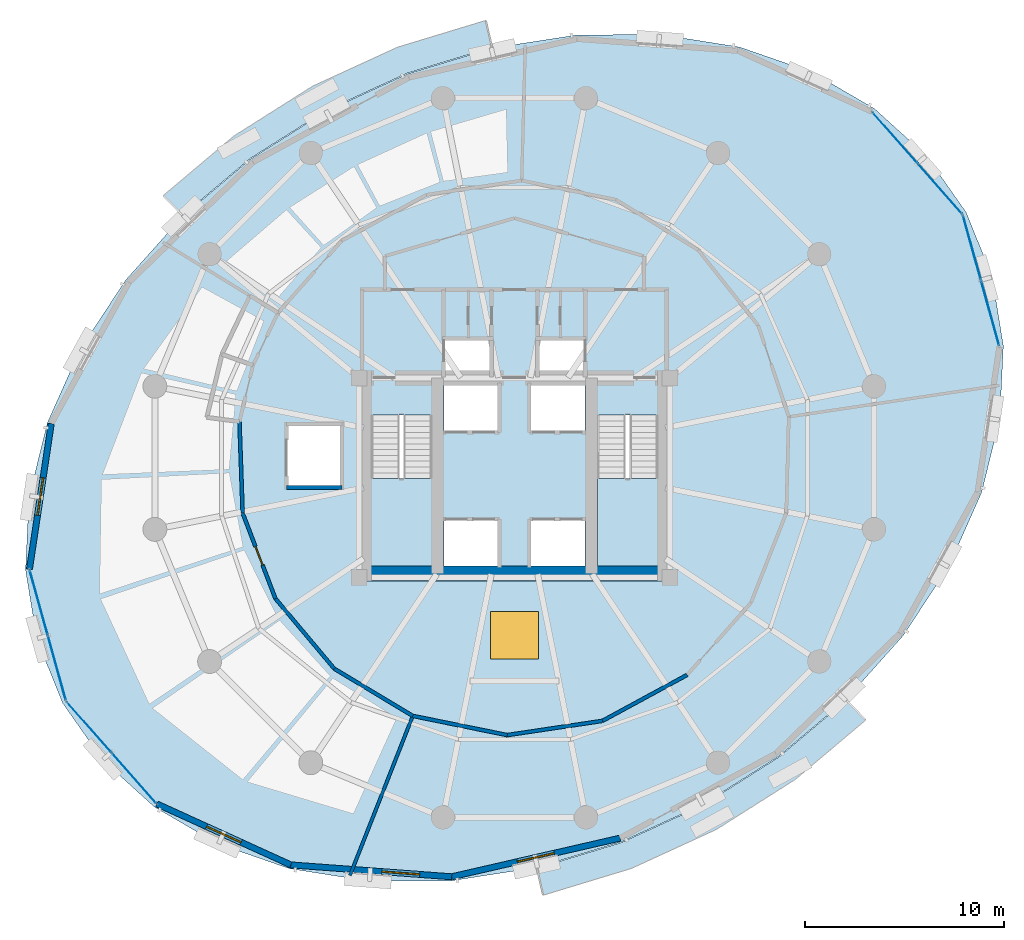
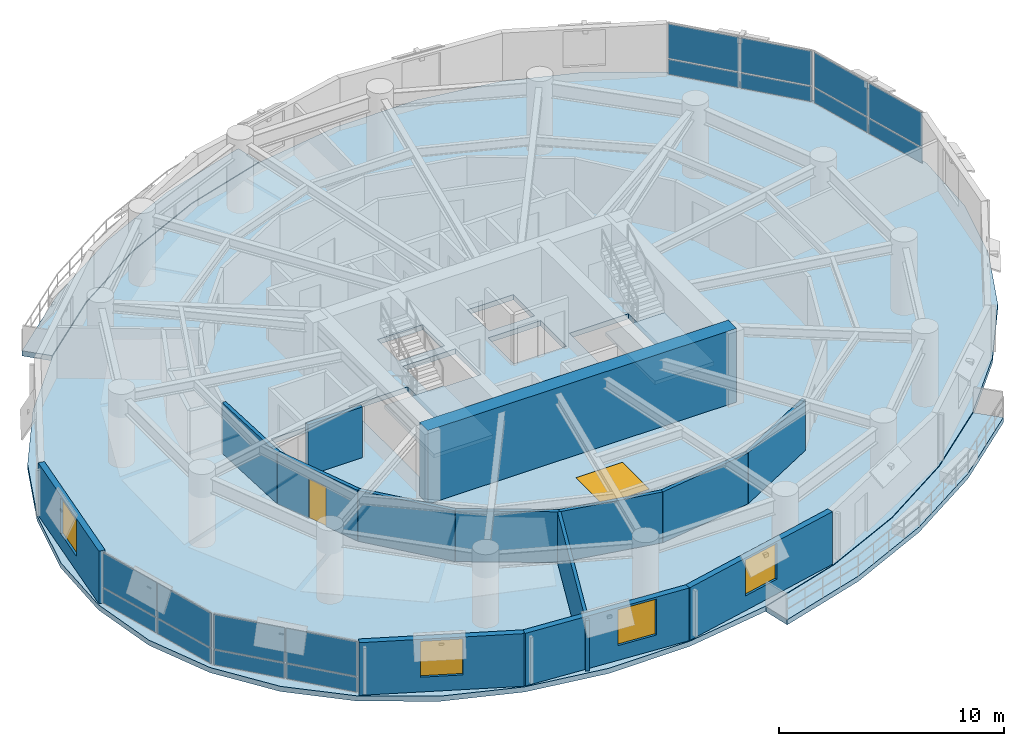
# One storey, part 7 of 12: 16 plates, 14 walls, 5 slabs, 5 windows, 1 door, 6 openings, 6 elements without a shape of their own.
"""IFC4 building model written with IfcOpenShell, lengths in metres."""

from ifc_helpers import new_model, si_unit, direction, frame, frame_2d, origin, origin_2d, place, context, subcontext, project, spatial, polyline, rectangle, outline, extrude, material, layer, layer_set, type_object, element, fill, aggregate, save


model = new_model("IFC4")

# Units and contexts
model_context = context("Model", 3, precision=1e-05, world=origin(), true_north=direction((0.0, 1.0)))
body_context = subcontext(model_context, "Body", "Model", "MODEL_VIEW")
ifc_project = project(units=[si_unit("LENGTHUNIT", "METRE"), si_unit("AREAUNIT", "SQUARE_METRE"), si_unit("VOLUMEUNIT", "CUBIC_METRE"), si_unit("PLANEANGLEUNIT", "RADIAN"), si_unit("MASSUNIT", "GRAM", prefix="KILO"), si_unit("THERMODYNAMICTEMPERATUREUNIT", "KELVIN"), si_unit("POWERUNIT", "WATT")], contexts=[model_context])

# Site, building, storey
site_placement = place(None, origin())
site = spatial("IfcSite", under=ifc_project, at=site_placement, CompositionType="ELEMENT")
building_placement = place(site_placement, origin())
building = spatial("IfcBuilding", under=site, at=building_placement, Name="Ocrelia Relay Tower", CompositionType="ELEMENT")
storey_placement = place(building_placement, frame((0.0, 0.0, 153.800048828125)))
storey = spatial("IfcBuildingStorey", under=building, at=storey_placement, Name="L36", CompositionType="ELEMENT", Elevation=153.800048828125)

# Curtain wall, plates
ifc_material_1 = material(Name="Aluminium and solar-control low-E glass", Category="aluminium")
ifc_layer_1 = layer(ifc_material_1, 0.179931640625, Name="Aluminium and solar-control low-E glass")
ifc_layer_set_1 = layer_set([ifc_layer_1], Name="Aluminium and solar-control low-E glass")
curtain_wall_type = type_object("IfcCurtainWallType", Name="CW-SYS-Z2-SWIT", PredefinedType="NOTDEFINED", material=ifc_layer_set_1)
curtain_wall_1_placement = place(storey_placement, origin())
curtain_wall_1 = element("IfcCurtainWall", 1, at=curtain_wall_1_placement, inside=storey, type_object=curtain_wall_type, Name="L36 Elliptical Tower Curtain Wall Bay 01", PredefinedType="NOTDEFINED")
ifc_material_2 = material(Name="Clear double-glazed low-E glass", Category="glass")
ifc_layer_2 = layer(ifc_material_2, 0.031982421875, Name="Clear double-glazed low-E glass")
ifc_layer_set_2 = layer_set([ifc_layer_2], Name="Clear double-glazed low-E glass")
plate_type = type_object("IfcPlateType", Name="CW-SYS-Z2-SWIT-PNL", PredefinedType="CURTAIN_PANEL", material=ifc_layer_set_2)
plate_1_placement = place(storey_placement, frame((55.34716796875, 39.51708984375, 0.059814453125), z_axis=(0.0, 0.0, 1.0), x_axis=(-0.662219056537, 0.74931029698, 0.0)))
plate_1 = element("IfcPlate", 2, at=plate_1_placement, type_object=plate_type, Name="CW-Z2 panel 1.1", PredefinedType="CURTAIN_PANEL", context=body_context, shape_type="SweptSolid", body=[
    extrude(rectangle(XDim=3.33447265625, YDim=0.031982421875, at=origin_2d()), origin(), (0.0, 0.0, 1.0), 0.81005859375),
])
plate_2_placement = place(storey_placement, frame((55.34716796875, 39.51708984375, 0.929931640625), z_axis=(0.0, 0.0, 1.0), x_axis=(-0.662219056537, 0.74931029698, 0.0)))
plate_2 = element("IfcPlate", 3, at=plate_2_placement, type_object=plate_type, Name="CW-Z2 panel 1.2", PredefinedType="CURTAIN_PANEL", context=body_context, shape_type="SweptSolid", body=[
    extrude(rectangle(XDim=3.33447265625, YDim=0.031982421875, at=origin_2d()), origin(), (0.0, 0.0, 1.0), 1.8701171875),
])
plate_3_placement = place(storey_placement, frame((53.0927734375, 42.068115234375, 0.059814453125), z_axis=(0.0, 0.0, 1.0), x_axis=(-0.662219056537, 0.74931029698, 0.0)))
plate_3 = element("IfcPlate", 4, at=plate_3_placement, type_object=plate_type, Name="CW-Z2 panel 2.1", PredefinedType="CURTAIN_PANEL", context=body_context, shape_type="SweptSolid", body=[
    extrude(rectangle(XDim=3.33447265625, YDim=0.031982421875, at=origin_2d()), origin(), (0.0, 0.0, 1.0), 0.81005859375),
])
plate_4_placement = place(storey_placement, frame((53.0927734375, 42.068115234375, 0.929931640625), z_axis=(0.0, 0.0, 1.0), x_axis=(-0.662219056537, 0.74931029698, 0.0)))
plate_4 = element("IfcPlate", 5, at=plate_4_placement, type_object=plate_type, Name="CW-Z2 panel 2.2", PredefinedType="CURTAIN_PANEL", context=body_context, shape_type="SweptSolid", body=[
    extrude(rectangle(XDim=3.33447265625, YDim=0.031982421875, at=origin_2d()), origin(), (0.0, 0.0, 1.0), 1.8701171875),
])
aggregate(curtain_wall_1, [plate_1, plate_2, plate_3, plate_4])

curtain_wall_2_placement = place(storey_placement, origin())
curtain_wall_2 = element("IfcCurtainWall", 6, at=curtain_wall_2_placement, inside=storey, type_object=curtain_wall_type, Name="L36 Elliptical Tower Curtain Wall Bay 09", PredefinedType="NOTDEFINED")
plate_5_placement = place(storey_placement, frame((10.12548828125, 18.73876953125, 0.059814453125), z_axis=(0.0, 0.0, 1.0), x_axis=(0.267754075452, -0.963487288488, 0.0)))
plate_5 = element("IfcPlate", 7, at=plate_5_placement, type_object=plate_type, Name="CW-Z2 panel 1.1", PredefinedType="CURTAIN_PANEL", context=body_context, shape_type="SweptSolid", body=[
    extrude(rectangle(XDim=3.33447265625, YDim=0.031982421875, at=origin_2d()), origin(), (0.0, 0.0, 1.0), 0.81005859375),
])
plate_6_placement = place(storey_placement, frame((10.12548828125, 18.73876953125, 0.929931640625), z_axis=(0.0, 0.0, 1.0), x_axis=(0.267754075452, -0.963487288488, 0.0)))
plate_6 = element("IfcPlate", 8, at=plate_6_placement, type_object=plate_type, Name="CW-Z2 panel 1.2", PredefinedType="CURTAIN_PANEL", context=body_context, shape_type="SweptSolid", body=[
    extrude(rectangle(XDim=3.33447265625, YDim=0.031982421875, at=origin_2d()), origin(), (0.0, 0.0, 1.0), 1.8701171875),
])
plate_7_placement = place(storey_placement, frame((11.037109375, 15.45849609375, 0.059814453125), z_axis=(0.0, 0.0, 1.0), x_axis=(0.267754075452, -0.963487288488, 0.0)))
plate_7 = element("IfcPlate", 9, at=plate_7_placement, type_object=plate_type, Name="CW-Z2 panel 2.1", PredefinedType="CURTAIN_PANEL", context=body_context, shape_type="SweptSolid", body=[
    extrude(rectangle(XDim=3.33447265625, YDim=0.031982421875, at=origin_2d()), origin(), (0.0, 0.0, 1.0), 0.81005859375),
])
plate_8_placement = place(storey_placement, frame((11.037109375, 15.45849609375, 0.929931640625), z_axis=(0.0, 0.0, 1.0), x_axis=(0.267754075452, -0.963487288488, 0.0)))
plate_8 = element("IfcPlate", 10, at=plate_8_placement, type_object=plate_type, Name="CW-Z2 panel 2.2", PredefinedType="CURTAIN_PANEL", context=body_context, shape_type="SweptSolid", body=[
    extrude(rectangle(XDim=3.33447265625, YDim=0.031982421875, at=origin_2d()), origin(), (0.0, 0.0, 1.0), 1.8701171875),
])
aggregate(curtain_wall_2, [plate_5, plate_6, plate_7, plate_8])

curtain_wall_3_placement = place(storey_placement, origin())
curtain_wall_3 = element("IfcCurtainWall", 11, at=curtain_wall_3_placement, inside=storey, type_object=curtain_wall_type, Name="L36 Elliptical Tower Curtain Wall Bay 10", PredefinedType="NOTDEFINED")
plate_9_placement = place(storey_placement, frame((12.65283203125, 12.48291015625, 0.059814453125), z_axis=(0.0, 0.0, 1.0), x_axis=(0.662219056537, -0.74931029698, 0.0)))
plate_9 = element("IfcPlate", 12, at=plate_9_placement, type_object=plate_type, Name="CW-Z2 panel 1.1", PredefinedType="CURTAIN_PANEL", context=body_context, shape_type="SweptSolid", body=[
    extrude(rectangle(XDim=3.33447265625, YDim=0.031982421875, at=origin_2d()), origin(), (0.0, 0.0, 1.0), 0.81005859375),
])
plate_10_placement = place(storey_placement, frame((12.65283203125, 12.48291015625, 0.929931640625), z_axis=(0.0, 0.0, 1.0), x_axis=(0.662219056537, -0.74931029698, 0.0)))
plate_10 = element("IfcPlate", 13, at=plate_10_placement, type_object=plate_type, Name="CW-Z2 panel 1.2", PredefinedType="CURTAIN_PANEL", context=body_context, shape_type="SweptSolid", body=[
    extrude(rectangle(XDim=3.33447265625, YDim=0.031982421875, at=origin_2d()), origin(), (0.0, 0.0, 1.0), 1.8701171875),
])
plate_11_placement = place(storey_placement, frame((14.9072265625, 9.931884765625, 0.059814453125), z_axis=(0.0, 0.0, 1.0), x_axis=(0.662219056537, -0.74931029698, 0.0)))
plate_11 = element("IfcPlate", 14, at=plate_11_placement, type_object=plate_type, Name="CW-Z2 panel 2.1", PredefinedType="CURTAIN_PANEL", context=body_context, shape_type="SweptSolid", body=[
    extrude(rectangle(XDim=3.33447265625, YDim=0.031982421875, at=origin_2d()), origin(), (0.0, 0.0, 1.0), 0.81005859375),
])
plate_12_placement = place(storey_placement, frame((14.9072265625, 9.931884765625, 0.929931640625), z_axis=(0.0, 0.0, 1.0), x_axis=(0.662219056537, -0.74931029698, 0.0)))
plate_12 = element("IfcPlate", 15, at=plate_12_placement, type_object=plate_type, Name="CW-Z2 panel 2.2", PredefinedType="CURTAIN_PANEL", context=body_context, shape_type="SweptSolid", body=[
    extrude(rectangle(XDim=3.33447265625, YDim=0.031982421875, at=origin_2d()), origin(), (0.0, 0.0, 1.0), 1.8701171875),
])
aggregate(curtain_wall_3, [plate_9, plate_10, plate_11, plate_12])

curtain_wall_4_placement = place(storey_placement, origin())
curtain_wall_4 = element("IfcCurtainWall", 16, at=curtain_wall_4_placement, inside=storey, type_object=curtain_wall_type, Name="L36 Elliptical Tower Curtain Wall Bay 18", PredefinedType="NOTDEFINED")
plate_13_placement = place(storey_placement, frame((57.87451171875, 33.26123046875, 0.059814453125), z_axis=(0.0, 0.0, 1.0), x_axis=(-0.267754075452, 0.963487288488, 0.0)))
plate_13 = element("IfcPlate", 17, at=plate_13_placement, type_object=plate_type, Name="CW-Z2 panel 1.1", PredefinedType="CURTAIN_PANEL", context=body_context, shape_type="SweptSolid", body=[
    extrude(rectangle(XDim=3.33447265625, YDim=0.031982421875, at=origin_2d()), origin(), (0.0, 0.0, 1.0), 0.81005859375),
])
plate_14_placement = place(storey_placement, frame((57.87451171875, 33.26123046875, 0.929931640625), z_axis=(0.0, 0.0, 1.0), x_axis=(-0.267754075452, 0.963487288488, 0.0)))
plate_14 = element("IfcPlate", 18, at=plate_14_placement, type_object=plate_type, Name="CW-Z2 panel 1.2", PredefinedType="CURTAIN_PANEL", context=body_context, shape_type="SweptSolid", body=[
    extrude(rectangle(XDim=3.33447265625, YDim=0.031982421875, at=origin_2d()), origin(), (0.0, 0.0, 1.0), 1.8701171875),
])
plate_15_placement = place(storey_placement, frame((56.962890625, 36.54150390625, 0.059814453125), z_axis=(0.0, 0.0, 1.0), x_axis=(-0.267754075452, 0.963487288488, 0.0)))
plate_15 = element("IfcPlate", 19, at=plate_15_placement, type_object=plate_type, Name="CW-Z2 panel 2.1", PredefinedType="CURTAIN_PANEL", context=body_context, shape_type="SweptSolid", body=[
    extrude(rectangle(XDim=3.33447265625, YDim=0.031982421875, at=origin_2d()), origin(), (0.0, 0.0, 1.0), 0.81005859375),
])
plate_16_placement = place(storey_placement, frame((56.962890625, 36.54150390625, 0.929931640625), z_axis=(0.0, 0.0, 1.0), x_axis=(-0.267754075452, 0.963487288488, 0.0)))
plate_16 = element("IfcPlate", 20, at=plate_16_placement, type_object=plate_type, Name="CW-Z2 panel 2.2", PredefinedType="CURTAIN_PANEL", context=body_context, shape_type="SweptSolid", body=[
    extrude(rectangle(XDim=3.33447265625, YDim=0.031982421875, at=origin_2d()), origin(), (0.0, 0.0, 1.0), 1.8701171875),
])
aggregate(curtain_wall_4, [plate_13, plate_14, plate_15, plate_16])

# Slabs
ifc_material_3 = material(Name="Precast concrete C40/50", Category="concrete")
ifc_layer_3 = layer(ifc_material_3, 0.280029296875, Name="Precast concrete C40/50")
ifc_layer_set_3 = layer_set([ifc_layer_3], Name="Precast concrete C40/50")
slab_type_1 = type_object("IfcSlabType", Name="SL-BALC-280", PredefinedType="FLOOR", material=ifc_layer_set_3)
slab_1_placement = place(storey_placement, frame((0.0, 0.0, -0.280029296875)))
element("IfcSlab", 21, at=slab_1_placement, inside=storey, type_object=slab_type_1, Name="L36 Planted Loggia Balcony B1", PredefinedType="FLOOR", context=body_context, shape_type="SweptSolid", body=[
    extrude(outline(polyline([(32.8701171875, 46.591064453125), (30.74609375, 45.946533203125), (28.622314453125, 45.302001953125), (24.5380859375, 43.427001953125), (20.74072265625, 41.022705078125), (19.04345703125, 39.592529296875), (17.34619140625, 38.162353515625), (16.37548828125, 39.162109375), (18.146484375, 40.654296875), (19.91748046875, 42.146484375), (23.873291015625, 44.6513671875), (28.12841796875, 46.604736328125), (30.34423828125, 47.277099609375), (32.560302734375, 47.94970703125), (32.8701171875, 46.591064453125)])), origin(), (0.0, 0.0, 1.0), 0.280029296875),
])
slab_2_placement = place(storey_placement, frame((0.0, 0.0, -0.280029296875)))
element("IfcSlab", 22, at=slab_2_placement, inside=storey, type_object=slab_type_1, Name="L36 Planted Loggia Balcony B2", PredefinedType="FLOOR", context=body_context, shape_type="SweptSolid", body=[
    extrude(outline(polyline([(35.1298828125, 5.408935546875), (37.25390625, 6.053466796875), (39.377685546875, 6.697998046875), (43.4619140625, 8.572998046875), (47.25927734375, 10.977294921875), (48.95654296875, 12.407470703125), (50.65380859375, 13.837646484375), (51.62451171875, 12.837890625), (49.853515625, 11.345703125), (48.08251953125, 9.853515625), (44.126708984375, 7.3486328125), (39.87158203125, 5.395263671875), (37.65576171875, 4.722900390625), (35.439697265625, 4.05029296875), (35.1298828125, 5.408935546875)])), origin(), (0.0, 0.0, 1.0), 0.280029296875),
])

# Slab, opening, window
ifc_material_4 = material(Name="Concrete C50/60", Category="concrete")
ifc_layer_4 = layer(ifc_material_4, 0.280029296875, Name="Concrete C50/60")
ifc_layer_set_4 = layer_set([ifc_layer_4], Name="Concrete C50/60")
slab_type_2 = type_object("IfcSlabType", Name="SL-FLR-280", PredefinedType="FLOOR", material=ifc_layer_set_4)
slab_3_placement = place(storey_placement, frame((0.0, 0.0, -0.280029296875)))
slab_3 = element("IfcSlab", 23, at=slab_3_placement, inside=storey, type_object=slab_type_2, Name="L36 Elliptical Tower Floor Slab", PredefinedType="FLOOR", context=body_context, shape_type="SweptSolid", body=[
    extrude(outline(polyline([(56.673583984375, 38.310791015625), (54.6884765625, 41.145263671875), (52.07470703125, 43.51953125), (48.911865234375, 45.36181640625), (45.2958984375, 46.615478515625), (41.3369140625, 47.242919921875), (37.15478515625, 47.224609375), (32.876708984375, 46.561767578125), (28.633056640625, 45.27392578125), (24.55224609375, 43.400634765625), (20.758544921875, 40.99853515625), (17.3671875, 38.140625), (14.481201171875, 34.9140625), (12.1884765625, 31.41650390625), (10.55810546875, 27.75439453125), (9.640380859375, 24.038818359375), (9.462646484375, 20.383056640625), (10.030517578125, 16.89794921875), (11.326416015625, 13.689208984375), (13.3115234375, 10.854736328125), (15.92529296875, 8.48046875), (19.088134765625, 6.63818359375), (22.7041015625, 5.384521484375), (26.6630859375, 4.757080078125), (30.84521484375, 4.775390625), (35.123291015625, 5.438232421875), (39.366943359375, 6.72607421875), (43.44775390625, 8.599365234375), (47.241455078125, 11.00146484375), (50.6328125, 13.859375), (53.518798828125, 17.0859375), (55.8115234375, 20.58349609375), (57.44189453125, 24.24560546875), (58.359619140625, 27.961181640625), (58.537353515625, 31.616943359375), (57.969482421875, 35.10205078125), (56.673583984375, 38.310791015625)]), holes=[polyline([(26.81005859375, 28.14990234375), (26.81005859375, 20.550048828125), (29.85009765625, 20.550048828125), (29.85009765625, 28.14990234375), (26.81005859375, 28.14990234375)]), polyline([(38.159912109375, 28.14990234375), (38.159912109375, 20.550048828125), (41.199951171875, 20.550048828125), (41.199951171875, 28.14990234375), (38.159912109375, 28.14990234375)]), polyline([(30.4599609375, 20.550048828125), (33.159912109375, 20.550048828125), (33.159912109375, 22.85009765625), (30.4599609375, 22.85009765625), (30.4599609375, 20.550048828125)]), polyline([(34.840087890625, 20.550048828125), (37.5400390625, 20.550048828125), (37.5400390625, 22.85009765625), (34.840087890625, 22.85009765625), (34.840087890625, 20.550048828125)]), polyline([(30.4599609375, 27.35009765625), (33.159912109375, 27.35009765625), (33.159912109375, 29.64990234375), (30.4599609375, 29.64990234375), (30.4599609375, 27.35009765625)]), polyline([(34.840087890625, 27.35009765625), (37.5400390625, 27.35009765625), (37.5400390625, 29.64990234375), (34.840087890625, 29.64990234375), (34.840087890625, 27.35009765625)]), polyline([(30.5, 30.10009765625), (32.85009765625, 30.10009765625), (32.85009765625, 32.0), (30.5, 32.0), (30.5, 30.10009765625)]), polyline([(35.14990234375, 30.10009765625), (37.5, 30.10009765625), (37.5, 32.0), (35.14990234375, 32.0), (35.14990234375, 30.10009765625)]), polyline([(22.550048828125, 24.5), (25.35009765625, 24.5), (25.35009765625, 27.699951171875), (22.550048828125, 27.699951171875), (22.550048828125, 24.5)]), polyline([(32.800048828125, 15.89990234375), (35.199951171875, 15.89990234375), (35.199951171875, 18.300048828125), (32.800048828125, 18.300048828125), (32.800048828125, 15.89990234375)])]), origin(), (0.0, 0.0, 1.0), 0.280029296875),
])
opening_1_placement = place(slab_3_placement, frame((34.0, 17.10009765625, 0.0)))
opening_1 = element("IfcOpeningElement", 24, at=opening_1_placement, cuts=slab_3, Name="Opening WSK-01", PredefinedType="OPENING", context=body_context, shape_type="SweptSolid", body=[
    extrude(rectangle(XDim=2.39990234375, YDim=2.39990234375, at=origin_2d()), frame((0.0, 0.0, -0.010009765625)), (0.0, 0.0, 1.0), 0.300048828125),
])
window_type_1 = type_object("IfcWindowType", Name="WIN-SKY-2400x2400", PartitioningType="SINGLE_PANEL", PredefinedType="SKYLIGHT", material=ifc_material_2)
window_1_placement = place(opening_1_placement, frame((0.0, 0.0, 0.22998046875)))
window_1 = element("IfcWindow", 25, at=window_1_placement, inside=storey, type_object=window_type_1, Name="L36 Multi-Zone Interior Atrium Skylight", OverallHeight=2.39990234375, OverallWidth=2.39990234375, PartitioningType="SINGLE_PANEL", PredefinedType="SKYLIGHT", context=body_context, shape_type="SweptSolid", body=[
    extrude(rectangle(XDim=2.39990234375, YDim=2.39990234375, at=origin_2d()), origin(), (0.0, 0.0, 1.0), 0.050048828125),
])
fill(opening_1, window_1)

# Stair, slab
stair_type = type_object("IfcStairType", Name="ST-DL-1420-R167", PredefinedType="HALF_TURN_STAIR", material=ifc_material_4)
stair_1_placement = place(storey_placement, origin())
stair_1 = element("IfcStair", 26, at=stair_1_placement, inside=storey, type_object=stair_type, Name="L36 West Core Exit Stair ST1", PredefinedType="HALF_TURN_STAIR")
ifc_layer_5 = layer(ifc_material_4, 0.199951171875, Name="Concrete C50/60")
ifc_layer_set_5 = layer_set([ifc_layer_5], Name="Concrete C50/60")
slab_type_3 = type_object("IfcSlabType", Name="SL-LANDING-200", PredefinedType="LANDING", material=ifc_layer_set_5)
slab_4_placement = place(storey_placement, frame((0.0, 0.0, 1.800048828125)))
slab_4 = element("IfcSlab", 27, at=slab_4_placement, type_object=slab_type_3, Name="ST1 landing 1", PredefinedType="LANDING", context=body_context, shape_type="SweptSolid", body=[
    extrude(outline(polyline([(26.81005859375, 24.9599609375), (26.81005859375, 20.550048828125), (29.85009765625, 20.550048828125), (29.85009765625, 24.9599609375), (26.81005859375, 24.9599609375)])), origin(), (0.0, 0.0, 1.0), 0.199951171875),
])
aggregate(stair_1, [slab_4])

stair_2_placement = place(storey_placement, origin())
stair_2 = element("IfcStair", 28, at=stair_2_placement, inside=storey, type_object=stair_type, Name="L36 East Core Exit Stair ST2", PredefinedType="HALF_TURN_STAIR")
slab_5_placement = place(storey_placement, frame((0.0, 0.0, 1.800048828125)))
slab_5 = element("IfcSlab", 29, at=slab_5_placement, type_object=slab_type_3, Name="ST2 landing 1", PredefinedType="LANDING", context=body_context, shape_type="SweptSolid", body=[
    extrude(outline(polyline([(38.159912109375, 24.9599609375), (38.159912109375, 20.550048828125), (41.199951171875, 20.550048828125), (41.199951171875, 24.9599609375), (38.159912109375, 24.9599609375)])), origin(), (0.0, 0.0, 1.0), 0.199951171875),
])
aggregate(stair_2, [slab_5])

# Walls
ifc_material_5 = material(Name="Concrete C60/75", Category="concrete")
ifc_layer_6 = layer(ifc_material_5, 0.75, Name="Concrete C60/75")
ifc_layer_set_6 = layer_set([ifc_layer_6], Name="Concrete C60/75")
wall_type_1 = type_object("IfcWallType", Name="CW-CORE-750", PredefinedType="SHEAR", material=ifc_layer_set_6)
wall_1_placement = place(storey_placement, frame((26.072021484375, 20.18701171875, 0.0), z_axis=(0.0, 0.0, 1.0), x_axis=(1.0, 0.0, 0.0)))
element("IfcWall", 30, at=wall_1_placement, inside=storey, type_object=wall_type_1, Name="L36 Core Shear Wall S", PredefinedType="SHEAR", context=body_context, shape_type="SweptSolid", body=[
    extrude(rectangle(XDim=15.865966796875, YDim=0.75, at=frame_2d((7.93310546875, 0.0))), origin(), (0.0, 0.0, 1.0), 4.0),
])
ifc_material_6 = material(Name="Gypsum Fireboard Partition EI60", Category="gypsum")
ifc_layer_7 = layer(ifc_material_6, 0.179931640625, Name="Gypsum Fireboard Partition EI60")
ifc_layer_set_7 = layer_set([ifc_layer_7], Name="Gypsum Fireboard Partition EI60")
wall_type_2 = type_object("IfcWallType", Name="W-CORR-EI60-180", PredefinedType="PARTITIONING", material=ifc_layer_set_7)
wall_2_placement = place(storey_placement, frame((20.19921875, 27.81689453125, 0.0), z_axis=(0.0, 0.0, 1.0), x_axis=(0.034855727819, -0.999392354503, 0.0)))
element("IfcWall", 31, at=wall_2_placement, inside=storey, type_object=wall_type_2, Name="L36 Operations Control Office Corridor Partition 1", PredefinedType="PARTITIONING", context=body_context, shape_type="SweptSolid", body=[
    extrude(rectangle(XDim=4.5947265625, YDim=0.179931640625, at=frame_2d((2.29736328125, 0.0))), origin(), (0.0, 0.0, 1.0), 2.760009765625),
])

# Wall, opening, door
wall_3_placement = place(storey_placement, frame((20.359375, 23.224853515625, 0.0), z_axis=(0.0, 0.0, 1.0), x_axis=(0.358373739931, -0.933578203756, 0.0)))
wall_3 = element("IfcWall", 32, at=wall_3_placement, inside=storey, type_object=wall_type_2, Name="L36 Operations Control Office Corridor Partition 2", PredefinedType="PARTITIONING", context=body_context, shape_type="SweptSolid", body=[
    extrude(rectangle(XDim=4.594970703125, YDim=0.179931640625, at=frame_2d((2.29736328125, 0.0))), origin(), (0.0, 0.0, 1.0), 2.760009765625),
])
opening_2_placement = place(wall_3_placement, frame((1.797607421875, 0.0, 0.0)))
opening_2 = element("IfcOpeningElement", 33, at=opening_2_placement, cuts=wall_3, Name="Opening D-RM100", PredefinedType="OPENING", context=body_context, shape_type="SweptSolid", body=[
    extrude(rectangle(XDim=1.0, YDim=2.14990234375, at=frame_2d((0.5, 1.074951171875))), frame((0.0, 0.10009765625, 0.0), z_axis=(0.0, -1.0, 0.0), x_axis=(1.0, 0.0, 0.0)), (0.0, 0.0, 1.0), 0.199951171875),
])
ifc_material_7 = material(Name="Acoustic oak veneer fire door", Category="wood")
door_type = type_object("IfcDoorType", Name="DR-ROOM-FD60-1000", OperationType="NOTDEFINED", PredefinedType="DOOR", material=ifc_material_7)
door_placement = place(opening_2_placement, origin())
door = element("IfcDoor", 34, at=door_placement, inside=storey, type_object=door_type, Name="L36 Operations Control Office Entrance Door", OperationType="SINGLE_SWING_RIGHT", OverallHeight=2.14990234375, OverallWidth=1.0, PredefinedType="DOOR", context=body_context, shape_type="SweptSolid", body=[
    extrude(rectangle(XDim=1.0, YDim=2.14990234375, at=frame_2d((0.5, 1.074951171875))), frame((0.0, 0.02490234375, 0.0), z_axis=(0.0, -1.0, 0.0), x_axis=(1.0, 0.0, 0.0)), (0.0, 0.0, 1.0), 0.050048828125),
])
fill(opening_2, door)

# Walls
wall_4_placement = place(storey_placement, frame((22.006103515625, 18.93505859375, 0.0), z_axis=(0.0, 0.0, 1.0), x_axis=(0.642783291969, -0.766048066094, 0.0)))
element("IfcWall", 35, at=wall_4_placement, inside=storey, type_object=wall_type_2, Name="L36 Operations Control Office Corridor Partition 3", PredefinedType="PARTITIONING", context=body_context, shape_type="SweptSolid", body=[
    extrude(rectangle(XDim=4.594970703125, YDim=0.179931640625, at=frame_2d((2.29736328125, 0.0))), origin(), (0.0, 0.0, 1.0), 2.760009765625),
])
wall_5_placement = place(storey_placement, frame((24.959716796875, 15.4150390625, 0.0), z_axis=(0.0, 0.0, 1.0), x_axis=(0.857169259549, -0.515034814828, 0.0)))
element("IfcWall", 36, at=wall_5_placement, inside=storey, type_object=wall_type_2, Name="L36 Operations Control Office Corridor Partition 4", PredefinedType="PARTITIONING", context=body_context, shape_type="SweptSolid", body=[
    extrude(rectangle(XDim=4.5947265625, YDim=0.179931640625, at=frame_2d((2.29736328125, 0.0))), origin(), (0.0, 0.0, 1.0), 2.760009765625),
])
wall_6_placement = place(storey_placement, frame((28.898193359375, 13.048583984375, 0.0), z_axis=(0.0, 0.0, 1.0), x_axis=(0.979922617064, -0.199378194814, 0.0)))
element("IfcWall", 37, at=wall_6_placement, inside=storey, type_object=wall_type_2, Name="L36 Mid-Tower Sky Lobby Corridor Partition 1", PredefinedType="PARTITIONING", context=body_context, shape_type="SweptSolid", body=[
    extrude(rectangle(XDim=4.83447265625, YDim=0.179931640625, at=frame_2d((2.417236328125, 0.0))), origin(), (0.0, 0.0, 1.0), 2.760009765625),
])
wall_7_placement = place(storey_placement, frame((33.635498046875, 12.084716796875, 0.0), z_axis=(0.0, 0.0, 1.0), x_axis=(0.989015847575, 0.147809516765, 0.0)))
element("IfcWall", 38, at=wall_7_placement, inside=storey, type_object=wall_type_2, Name="L36 Mid-Tower Sky Lobby Corridor Partition 2", PredefinedType="PARTITIONING", context=body_context, shape_type="SweptSolid", body=[
    extrude(rectangle(XDim=4.834716796875, YDim=0.179931640625, at=frame_2d((2.41748046875, 0.0))), origin(), (0.0, 0.0, 1.0), 2.760009765625),
])
wall_8_placement = place(storey_placement, frame((38.4169921875, 12.79931640625, 0.0), z_axis=(0.0, 0.0, 1.0), x_axis=(0.878795344005, 0.477198850957, 0.0)))
element("IfcWall", 39, at=wall_8_placement, inside=storey, type_object=wall_type_2, Name="L36 Mid-Tower Sky Lobby Corridor Partition 3", PredefinedType="PARTITIONING", context=body_context, shape_type="SweptSolid", body=[
    extrude(rectangle(XDim=4.834228515625, YDim=0.179931640625, at=frame_2d((2.4169921875, 0.0))), origin(), (0.0, 0.0, 1.0), 2.760009765625),
])

# Wall, opening, window
ifc_material_8 = material(Name="Precast concrete C40/50 with oxide terracotta", Category="masonry")
ifc_layer_8 = layer(ifc_material_8, 0.300048828125, Name="Precast concrete C40/50 with oxide terracotta")
ifc_layer_set_8 = layer_set([ifc_layer_8], Name="Precast concrete C40/50 with oxide terracotta")
wall_type_3 = type_object("IfcWallType", Name="W-EXT-TERR-300", PredefinedType="SOLIDWALL", material=ifc_layer_set_8)
wall_9_placement = place(storey_placement, frame((10.754150390625, 27.714599609375, 0.0), z_axis=(0.0, 0.0, 1.0), x_axis=(-0.148135101781, -0.988967133741, 0.0)))
wall_9 = element("IfcWall", 40, at=wall_9_placement, inside=storey, type_object=wall_type_3, Name="L36 Oxide Terracotta Facade Wall 08", PredefinedType="SOLIDWALL", context=body_context, shape_type="SweptSolid", body=[
    extrude(rectangle(XDim=7.383544921875, YDim=0.300048828125, at=frame_2d((3.69189453125, 0.0))), origin(), (0.0, 0.0, 1.0), 2.85986328125),
])
opening_3_placement = place(wall_9_placement, frame((2.741943359375, 0.0, 0.800048828125)))
opening_3 = element("IfcOpeningElement", 41, at=opening_3_placement, cuts=wall_9, Name="Opening W-06", PredefinedType="OPENING", context=body_context, shape_type="SweptSolid", body=[
    extrude(rectangle(XDim=1.89990234375, YDim=1.949951171875, at=frame_2d((0.949951171875, 0.97509765625))), frame((0.0, 0.16015625, 0.0), z_axis=(0.0, -1.0, 0.0), x_axis=(1.0, 0.0, 0.0)), (0.0, 0.0, 1.0), 0.320068359375),
])
window_type_2 = type_object("IfcWindowType", Name="WIN-Z2-1900x2100", PartitioningType="DOUBLE_PANEL_VERTICAL", PredefinedType="WINDOW", material=ifc_material_2)
window_2_placement = place(opening_3_placement, origin())
window_2 = element("IfcWindow", 42, at=window_2_placement, inside=storey, type_object=window_type_2, Name="L36 Facade Module Window 08", OverallHeight=1.949951171875, OverallWidth=1.89990234375, PartitioningType="SINGLE_PANEL", PredefinedType="WINDOW", context=body_context, shape_type="SweptSolid", body=[
    extrude(rectangle(XDim=1.89990234375, YDim=1.949951171875, at=frame_2d((0.949951171875, 0.97509765625))), frame((0.0, 0.030029296875, 0.0), z_axis=(0.0, -1.0, 0.0), x_axis=(1.0, 0.0, 0.0)), (0.0, 0.0, 1.0), 0.06005859375),
])
fill(opening_3, window_2)

wall_10_placement = place(storey_placement, frame((16.0576171875, 8.630126953125, 0.0), z_axis=(0.0, 0.0, 1.0), x_axis=(0.910116049125, -0.414353444688, 0.0)))
wall_10 = element("IfcWall", 43, at=wall_10_placement, inside=storey, type_object=wall_type_3, Name="L36 Oxide Terracotta Facade Wall 11", PredefinedType="SOLIDWALL", context=body_context, shape_type="SweptSolid", body=[
    extrude(rectangle(XDim=7.38330078125, YDim=0.300048828125, at=frame_2d((3.691650390625, 0.0))), origin(), (0.0, 0.0, 1.0), 2.85986328125),
])
opening_4_placement = place(wall_10_placement, frame((2.741943359375, 0.0, 0.800048828125)))
opening_4 = element("IfcOpeningElement", 44, at=opening_4_placement, cuts=wall_10, Name="Opening W-06", PredefinedType="OPENING", context=body_context, shape_type="SweptSolid", body=[
    extrude(rectangle(XDim=1.89990234375, YDim=1.949951171875, at=frame_2d((0.949951171875, 0.97509765625))), frame((0.0, 0.16015625, 0.0), z_axis=(0.0, -1.0, 0.0), x_axis=(1.0, 0.0, 0.0)), (0.0, 0.0, 1.0), 0.320068359375),
])
window_3_placement = place(opening_4_placement, origin())
window_3 = element("IfcWindow", 45, at=window_3_placement, inside=storey, type_object=window_type_2, Name="L36 Facade Module Window 11", OverallHeight=1.949951171875, OverallWidth=1.89990234375, PartitioningType="SINGLE_PANEL", PredefinedType="WINDOW", context=body_context, shape_type="SweptSolid", body=[
    extrude(rectangle(XDim=1.89990234375, YDim=1.949951171875, at=frame_2d((0.949951171875, 0.97509765625))), frame((0.0, 0.030029296875, 0.0), z_axis=(0.0, -1.0, 0.0), x_axis=(1.0, 0.0, 0.0)), (0.0, 0.0, 1.0), 0.06005859375),
])
fill(opening_4, window_3)

wall_11_placement = place(storey_placement, frame((22.77734375, 5.57080078125, 0.0), z_axis=(0.0, 0.0, 1.0), x_axis=(0.997288779758, -0.073587293535, 0.0)))
wall_11 = element("IfcWall", 46, at=wall_11_placement, inside=storey, type_object=wall_type_3, Name="L36 Oxide Terracotta Facade Wall 12", PredefinedType="SOLIDWALL", context=body_context, shape_type="SweptSolid", body=[
    extrude(rectangle(XDim=8.09521484375, YDim=0.300048828125, at=frame_2d((4.047607421875, 0.0))), origin(), (0.0, 0.0, 1.0), 2.85986328125),
])
opening_5_placement = place(wall_11_placement, frame((4.580078125, 0.0, 0.800048828125)))
opening_5 = element("IfcOpeningElement", 47, at=opening_5_placement, cuts=wall_11, Name="Opening W-06", PredefinedType="OPENING", context=body_context, shape_type="SweptSolid", body=[
    extrude(rectangle(XDim=1.89990234375, YDim=1.949951171875, at=frame_2d((0.949951171875, 0.97509765625))), frame((0.0, 0.16015625, 0.0), z_axis=(0.0, -1.0, 0.0), x_axis=(1.0, 0.0, 0.0)), (0.0, 0.0, 1.0), 0.320068359375),
])
window_4_placement = place(opening_5_placement, origin())
window_4 = element("IfcWindow", 48, at=window_4_placement, inside=storey, type_object=window_type_2, Name="L36 Facade Module Window 12", OverallHeight=1.949951171875, OverallWidth=1.89990234375, PartitioningType="SINGLE_PANEL", PredefinedType="WINDOW", context=body_context, shape_type="SweptSolid", body=[
    extrude(rectangle(XDim=1.89990234375, YDim=1.949951171875, at=frame_2d((0.949951171875, 0.97509765625))), frame((0.0, 0.030029296875, 0.0), z_axis=(0.0, -1.0, 0.0), x_axis=(1.0, 0.0, 0.0)), (0.0, 0.0, 1.0), 0.06005859375),
])
fill(opening_5, window_4)

wall_12_placement = place(storey_placement, frame((30.8505859375, 4.97509765625, 0.0), z_axis=(0.0, 0.0, 1.0), x_axis=(0.974642984393, 0.223765620626, 0.0)))
wall_12 = element("IfcWall", 49, at=wall_12_placement, inside=storey, type_object=wall_type_3, Name="L36 Oxide Terracotta Facade Wall 13", PredefinedType="SOLIDWALL", context=body_context, shape_type="SweptSolid", body=[
    extrude(rectangle(XDim=8.6728515625, YDim=0.300048828125, at=frame_2d((4.33642578125, 0.0))), origin(), (0.0, 0.0, 1.0), 2.85986328125),
])
opening_6_placement = place(wall_12_placement, frame((3.385986328125, 0.0, 0.800048828125)))
opening_6 = element("IfcOpeningElement", 50, at=opening_6_placement, cuts=wall_12, Name="Opening W-06", PredefinedType="OPENING", context=body_context, shape_type="SweptSolid", body=[
    extrude(rectangle(XDim=1.89990234375, YDim=1.949951171875, at=frame_2d((0.949951171875, 0.97509765625))), frame((0.0, 0.16015625, 0.0), z_axis=(0.0, -1.0, 0.0), x_axis=(1.0, 0.0, 0.0)), (0.0, 0.0, 1.0), 0.320068359375),
])
window_5_placement = place(opening_6_placement, origin())
window_5 = element("IfcWindow", 51, at=window_5_placement, inside=storey, type_object=window_type_2, Name="L36 Facade Module Window 13", OverallHeight=1.949951171875, OverallWidth=1.89990234375, PartitioningType="SINGLE_PANEL", PredefinedType="WINDOW", context=body_context, shape_type="SweptSolid", body=[
    extrude(rectangle(XDim=1.89990234375, YDim=1.949951171875, at=frame_2d((0.949951171875, 0.97509765625))), frame((0.0, 0.030029296875, 0.0), z_axis=(0.0, -1.0, 0.0), x_axis=(1.0, 0.0, 0.0)), (0.0, 0.0, 1.0), 0.06005859375),
])
fill(opening_6, window_5)

# Walls
ifc_material_9 = material(Name="Acoustic Fireboard Partition EI60", Category="gypsum")
ifc_layer_9 = layer(ifc_material_9, 0.159912109375, Name="Acoustic Fireboard Partition EI60")
ifc_layer_set_9 = layer_set([ifc_layer_9], Name="Acoustic Fireboard Partition EI60")
wall_type_4 = type_object("IfcWallType", Name="W-PART-160", PredefinedType="PARTITIONING", material=ifc_layer_set_9)
wall_13_placement = place(storey_placement, frame((28.898193359375, 13.048583984375, 0.0), z_axis=(0.0, 0.0, 1.0), x_axis=(-0.366488793002, -0.930422465659, 0.0)))
element("IfcWall", 52, at=wall_13_placement, inside=storey, type_object=wall_type_4, Name="L36 Operations Control Office Radial Partition", PredefinedType="PARTITIONING", context=body_context, shape_type="SweptSolid", body=[
    extrude(rectangle(XDim=8.604736328125, YDim=0.159912109375, at=frame_2d((4.30224609375, 0.0))), origin(), (0.0, 0.0, 1.0), 2.760009765625),
])
ifc_layer_10 = layer(ifc_material_4, 0.199951171875, Name="Concrete C50/60")
ifc_layer_set_10 = layer_set([ifc_layer_10], Name="Concrete C50/60")
wall_type_5 = type_object("IfcWallType", Name="W-SHAFT-EI120-200", PredefinedType="SOLIDWALL", material=ifc_layer_set_10)
wall_14_placement = place(storey_placement, frame((22.550048828125, 24.5, 0.0), z_axis=(0.0, 0.0, 1.0), x_axis=(1.0, 0.0, 0.0)))
element("IfcWall", 53, at=wall_14_placement, inside=storey, type_object=wall_type_5, Name="L36 Goods Lift Shaft S Wall", PredefinedType="SOLIDWALL", context=body_context, shape_type="SweptSolid", body=[
    extrude(rectangle(XDim=2.800048828125, YDim=0.199951171875, at=frame_2d((1.39990234375, 0.0))), origin(), (0.0, 0.0, 1.0), 2.760009765625),
])

save(model, "model.ifc")
